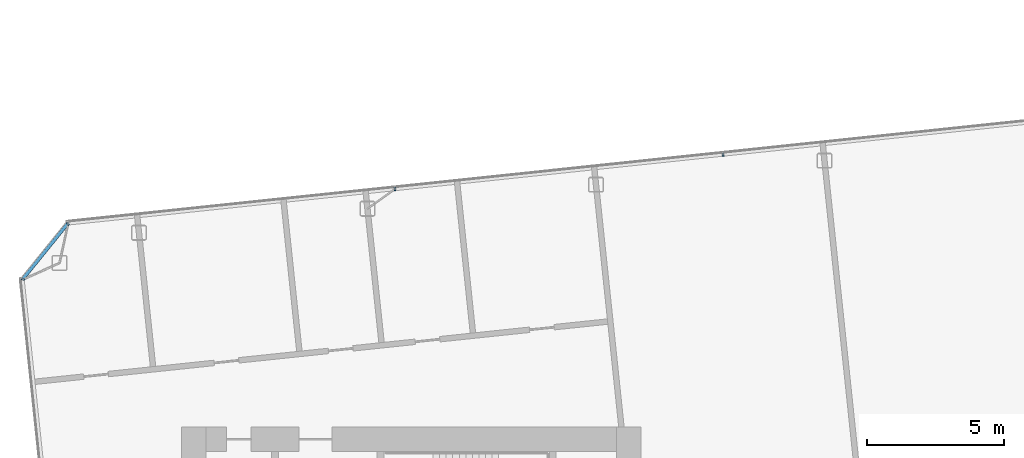
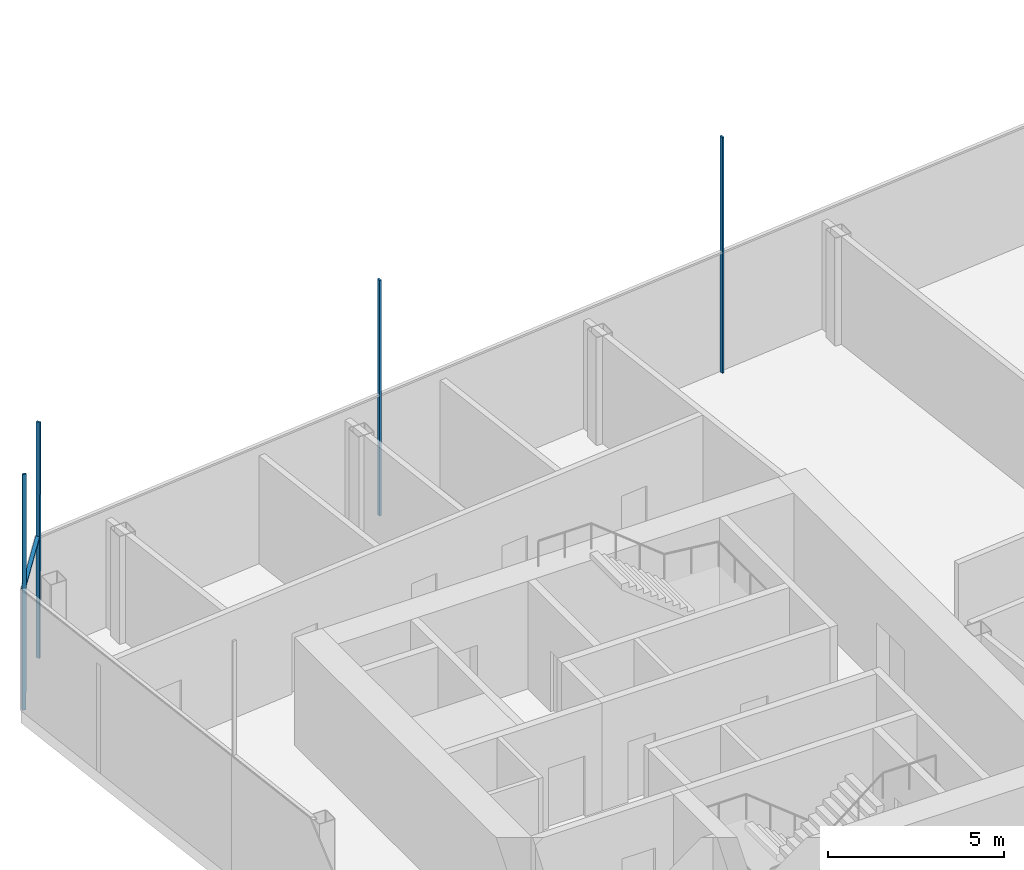
# One storey, part 9 of 41: 5 members, 2 elements without a shape of their own.
"""IFC4 building model written with IfcOpenShell, lengths in metres."""

from ifc_helpers import new_model, si_unit, direction, frame, origin, origin_2d, place, context, subcontext, project, spatial, rectangle, extrude, material, layer, layer_set, material_profile, profile_set, type_object, element, aggregate, save


model = new_model("IFC4")

# Units and contexts
model_context = context("Model", 3, precision=1e-05, world=origin(), true_north=direction((0.0, 1.0)))
body_context = subcontext(model_context, "Body", "Model", "MODEL_VIEW")
ifc_project = project(units=[si_unit("LENGTHUNIT", "METRE"), si_unit("AREAUNIT", "SQUARE_METRE"), si_unit("VOLUMEUNIT", "CUBIC_METRE"), si_unit("PLANEANGLEUNIT", "RADIAN"), si_unit("MASSUNIT", "GRAM", prefix="KILO")], contexts=[model_context])

# Site, building, storey
site_placement = place(None, origin())
site = spatial("IfcSite", under=ifc_project, at=site_placement, CompositionType="ELEMENT")
building_placement = place(site_placement, origin())
building = spatial("IfcBuilding", under=site, at=building_placement, Name="Hakoniwa Tower and Hamabe Station Hall", CompositionType="ELEMENT")
storey_placement = place(building_placement, frame((0.0, 0.0, 276.60009765625)))
storey = spatial("IfcBuildingStorey", under=building, at=storey_placement, Name="L77", CompositionType="ELEMENT", Elevation=276.60009765625)

# Curtain wall, member
ifc_material_1 = material(Name="Dark low-e laminated glass", Category="glass")
ifc_layer = layer(ifc_material_1, 0.199951171875)
ifc_layer_set = layer_set([ifc_layer], Name="CW-4 CROWN FACETS")
curtain_wall_type = type_object("IfcCurtainWallType", Name="CW-4 CROWN FACETS", PredefinedType="NOTDEFINED", material=ifc_layer_set)
curtain_wall_1_placement = place(storey_placement, origin())
curtain_wall_1 = element("IfcCurtainWall", 1, at=curtain_wall_1_placement, inside=storey, type_object=curtain_wall_type, Name="Crown skirt facet L77", PredefinedType="NOTDEFINED")
ifc_material_2 = material(Name="Aluminium 6063-T5 black anodised", Category="aluminium")
ifc_material_profile = material_profile(ifc_material_2, rectangle(XDim=0.06005859375, YDim=0.1201171875, at=origin_2d()), Name="CW-4 GLAZING BAR 60X120")
ifc_profile_set = profile_set([ifc_material_profile], Name="Aluminium 6063-T5 black anodised")
member_type = type_object("IfcMemberType", Name="CW-4 GLAZING BAR 60X120", PredefinedType="MULLION", material=ifc_profile_set)
member_1_placement = place(storey_placement, frame((-39.389404296875, 13.79052734375, 0.0), z_axis=(0.000744335379, -0.000238187321, 0.999999694616), x_axis=(0.284015317192, 0.958819450209, 0.000228378706)))
member_1 = element("IfcMember", 2, at=member_1_placement, type_object=member_type, Name="Crown glazing bar", PredefinedType="MULLION", context=body_context, shape_type="SweptSolid", body=[
    extrude(rectangle(XDim=0.06005859375, YDim=0.1201171875, at=origin_2d()), origin(), (0.0, 0.0, 1.0), 8.199951171875),
])

# Curtain wall, members
curtain_wall_2_placement = place(storey_placement, origin())
curtain_wall_2 = element("IfcCurtainWall", 3, at=curtain_wall_2_placement, inside=storey, type_object=curtain_wall_type, Name="Crown skirt facet L77", PredefinedType="NOTDEFINED")
member_2_placement = place(storey_placement, frame((-37.7451171875, 15.821044921875, 0.0), z_axis=(0.00119093612, -8.9320209e-05, 0.999999286846), x_axis=(0.878817230453, 0.477158203028, 4.2619901e-05)))
member_2 = element("IfcMember", 4, at=member_2_placement, type_object=member_type, Name="Crown glazing bar", PredefinedType="MULLION", context=body_context, shape_type="SweptSolid", body=[
    extrude(rectangle(XDim=0.06005859375, YDim=0.1201171875, at=origin_2d()), origin(), (0.0, 0.0, 1.0), 8.199951171875),
])
member_3_placement = place(storey_placement, frame((-25.79345703125, 17.09375, 0.0), z_axis=(0.0, 0.0, 1.0), x_axis=(0.994521896233, 0.10452845504, 0.0)))
member_3 = element("IfcMember", 5, at=member_3_placement, type_object=member_type, Name="Crown glazing bar", PredefinedType="MULLION", context=body_context, shape_type="SweptSolid", body=[
    extrude(rectangle(XDim=0.06005859375, YDim=0.1201171875, at=origin_2d()), origin(), (0.0, 0.0, 1.0), 8.199951171875),
])
member_4_placement = place(storey_placement, frame((-13.796142578125, 18.354736328125, 0.0), z_axis=(0.0, 0.0, 1.0), x_axis=(0.994521896233, 0.10452845504, 0.0)))
member_4 = element("IfcMember", 6, at=member_4_placement, type_object=member_type, Name="Crown glazing bar", PredefinedType="MULLION", context=body_context, shape_type="SweptSolid", body=[
    extrude(rectangle(XDim=0.06005859375, YDim=0.1201171875, at=origin_2d()), origin(), (0.0, 0.0, 1.0), 8.199951171875),
])
aggregate(curtain_wall_2, [member_2, member_3, member_4])

# Member
member_5_placement = place(storey_placement, frame((-39.406494140625, 13.795654296875, 4.199951171875), z_axis=(0.629331927402, 0.777136619362, 0.0), x_axis=(0.0, 0.0, -1.0)))
member_5 = element("IfcMember", 7, at=member_5_placement, type_object=member_type, Name="Crown glazing bar", PredefinedType="MULLION", context=body_context, shape_type="SweptSolid", body=[
    extrude(rectangle(XDim=0.06005859375, YDim=0.1201171875, at=origin_2d()), origin(), (0.0, 0.0, 1.0), 2.626220703125),
])

aggregate(curtain_wall_1, [member_1, member_5])

save(model, "model.ifc")
